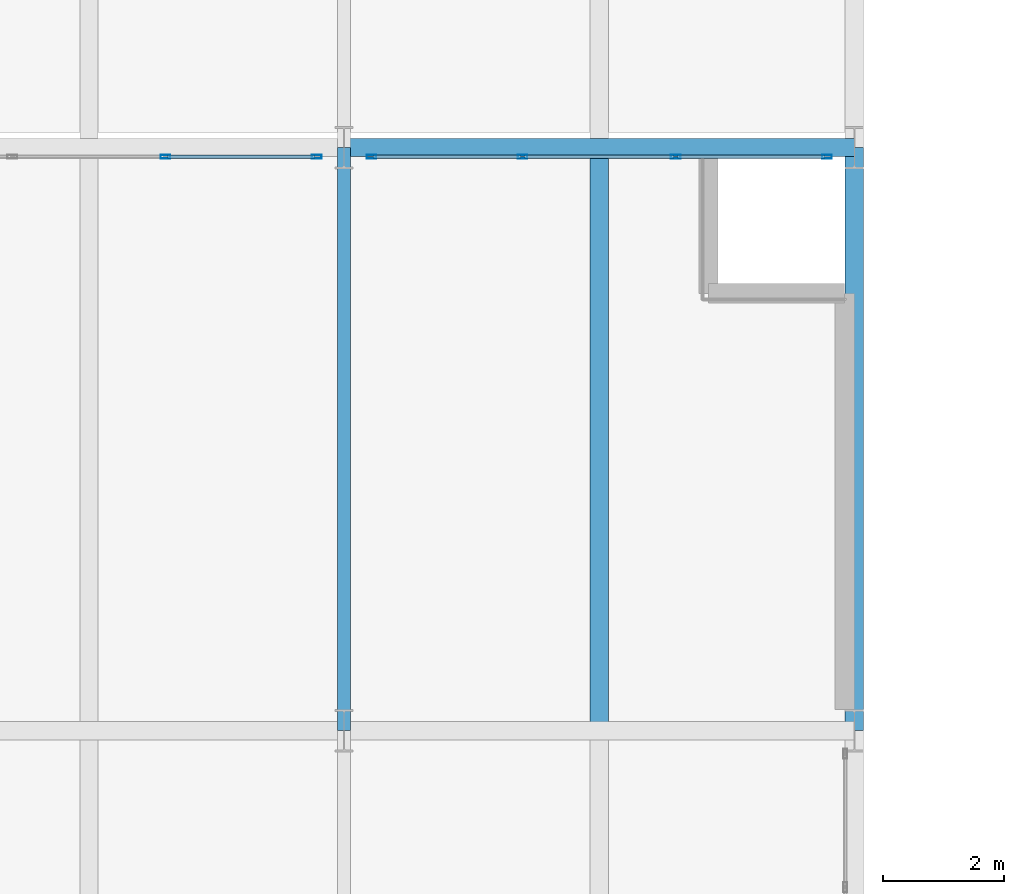
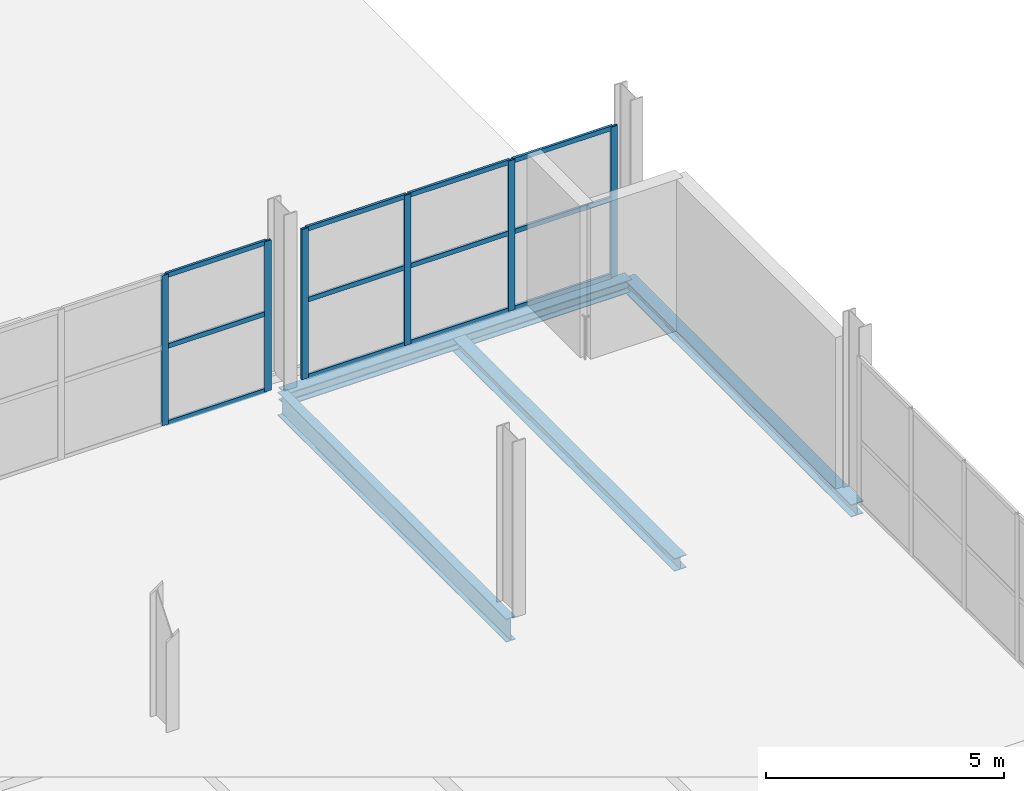
# One storey, part 61 of 113: 18 members, 4 beams, 2 elements without a shape of their own.
"""IFC4 building model written with IfcOpenShell, lengths in metres."""

from ifc_helpers import new_model, si_unit, direction, frame, origin, origin_2d, place, context, subcontext, project, spatial, hollow_rectangle, i_section, extrude, material, material_profile, profile_set, type_object, element, aggregate, save


model = new_model("IFC4")

# Units and contexts
model_context = context("Model", 3, precision=1e-05, world=origin(), true_north=direction((0.0, 1.0)))
body_context = subcontext(model_context, "Body", "Model", "MODEL_VIEW")
ifc_project = project(units=[si_unit("LENGTHUNIT", "METRE"), si_unit("AREAUNIT", "SQUARE_METRE"), si_unit("VOLUMEUNIT", "CUBIC_METRE"), si_unit("PLANEANGLEUNIT", "RADIAN"), si_unit("MASSUNIT", "GRAM", prefix="KILO")], contexts=[model_context])

# Site, building, storey
site_placement = place(None, origin())
site = spatial("IfcSite", under=ifc_project, at=site_placement, CompositionType="ELEMENT")
building_placement = place(site_placement, origin())
building = spatial("IfcBuilding", under=site, at=building_placement, Name="Veltarok Museum of Natural Sciences", CompositionType="ELEMENT")
storey_placement = place(building_placement, frame((0.0, 0.0, 8.39990234375)))
storey = spatial("IfcBuildingStorey", under=building, at=storey_placement, Name="L01", CompositionType="ELEMENT", Elevation=8.39990234375)

# Curtain wall, members
ifc_material_1 = material(Name="Low-iron triple insulated glass", Category="glass")
curtain_wall_type_1 = type_object("IfcCurtainWallType", Name="Curtain Wall System CW-V2NP-L01-8-756x385 (North Pavilion L01 8-9 756x385cm)", PredefinedType="NOTDEFINED", material=ifc_material_1)
curtain_wall_1_placement = place(storey_placement, origin())
curtain_wall_1 = element("IfcCurtainWall", 1, at=curtain_wall_1_placement, inside=storey, type_object=curtain_wall_type_1, Name="Curtain Wall CW-V2NP-L01-8-756x385 CW-0070", PredefinedType="NOTDEFINED")
ifc_material_2 = material(Name="Thermally broken anodised aluminium", Category="aluminium")
ifc_material_profile_1 = material_profile(ifc_material_2, hollow_rectangle(XDim=0.06005859375, YDim=0.1201171875, WallThickness=0.0048828125, at=origin_2d()), Name="CW TRANSOM 60x120x5")
ifc_profile_set_1 = profile_set([ifc_material_profile_1], Name="Thermally broken anodised aluminium")
member_type_1 = type_object("IfcMemberType", Name="Curtain Wall Horizontal Transom 60x120x5", PredefinedType="USERDEFINED", material=ifc_profile_set_1)
member_1_placement = place(storey_placement, frame((73.1201171875, 91.050048828125, 0.030029296875), z_axis=(-1.0, 0.0, 0.0), x_axis=(0.0, -1.0, 0.0)))
member_1 = element("IfcMember", 2, at=member_1_placement, type_object=member_type_1, Name="CW-V2NP-L01-8-756x385 transom 1.1", ObjectType="TRANSOM", PredefinedType="USERDEFINED", context=body_context, shape_type="SweptSolid", body=[
    extrude(hollow_rectangle(XDim=0.06005859375, YDim=0.1201171875, WallThickness=0.0048828125, at=origin_2d()), origin(), (0.0, 0.0, 1.0), 2.43017578125),
])
member_2_placement = place(storey_placement, frame((73.1201171875, 91.050048828125, 2.0), z_axis=(-1.0, 0.0, 0.0), x_axis=(0.0, -1.0, 0.0)))
member_2 = element("IfcMember", 3, at=member_2_placement, type_object=member_type_1, Name="CW-V2NP-L01-8-756x385 transom 1.2", ObjectType="TRANSOM", PredefinedType="USERDEFINED", context=body_context, shape_type="SweptSolid", body=[
    extrude(hollow_rectangle(XDim=0.06005859375, YDim=0.1201171875, WallThickness=0.0048828125, at=origin_2d()), origin(), (0.0, 0.0, 1.0), 2.43017578125),
])
member_3_placement = place(storey_placement, frame((73.1201171875, 91.050048828125, 3.820068359375), z_axis=(-1.0, 0.0, 0.0), x_axis=(0.0, -1.0, 0.0)))
member_3 = element("IfcMember", 4, at=member_3_placement, type_object=member_type_1, Name="CW-V2NP-L01-8-756x385 transom 1.3", ObjectType="TRANSOM", PredefinedType="USERDEFINED", context=body_context, shape_type="SweptSolid", body=[
    extrude(hollow_rectangle(XDim=0.06005859375, YDim=0.1201171875, WallThickness=0.0048828125, at=origin_2d()), origin(), (0.0, 0.0, 1.0), 2.43017578125),
])

curtain_wall_type_2 = type_object("IfcCurtainWallType", Name="Curtain Wall System CW-V2NP-L01-9-756x385 (North Pavilion L01 9-10 756x385cm)", PredefinedType="NOTDEFINED", material=ifc_material_1)
curtain_wall_2_placement = place(storey_placement, origin())
curtain_wall_2 = element("IfcCurtainWall", 5, at=curtain_wall_2_placement, inside=storey, type_object=curtain_wall_type_2, Name="Curtain Wall CW-V2NP-L01-9-756x385 CW-0071", PredefinedType="NOTDEFINED")
member_4_placement = place(storey_placement, frame((81.52001953125, 91.050048828125, 0.030029296875), z_axis=(-1.0, 0.0, 0.0), x_axis=(0.0, -1.0, 0.0)))
member_4 = element("IfcMember", 6, at=member_4_placement, type_object=member_type_1, Name="CW-V2NP-L01-9-756x385 transom 1.1", ObjectType="TRANSOM", PredefinedType="USERDEFINED", context=body_context, shape_type="SweptSolid", body=[
    extrude(hollow_rectangle(XDim=0.06005859375, YDim=0.1201171875, WallThickness=0.0048828125, at=origin_2d()), origin(), (0.0, 0.0, 1.0), 2.429931640625),
])
member_5_placement = place(storey_placement, frame((81.52001953125, 91.050048828125, 2.0), z_axis=(-1.0, 0.0, 0.0), x_axis=(0.0, -1.0, 0.0)))
member_5 = element("IfcMember", 7, at=member_5_placement, type_object=member_type_1, Name="CW-V2NP-L01-9-756x385 transom 1.2", ObjectType="TRANSOM", PredefinedType="USERDEFINED", context=body_context, shape_type="SweptSolid", body=[
    extrude(hollow_rectangle(XDim=0.06005859375, YDim=0.1201171875, WallThickness=0.0048828125, at=origin_2d()), origin(), (0.0, 0.0, 1.0), 2.429931640625),
])
member_6_placement = place(storey_placement, frame((81.52001953125, 91.050048828125, 3.820068359375), z_axis=(-1.0, 0.0, 0.0), x_axis=(0.0, -1.0, 0.0)))
member_6 = element("IfcMember", 8, at=member_6_placement, type_object=member_type_1, Name="CW-V2NP-L01-9-756x385 transom 1.3", ObjectType="TRANSOM", PredefinedType="USERDEFINED", context=body_context, shape_type="SweptSolid", body=[
    extrude(hollow_rectangle(XDim=0.06005859375, YDim=0.1201171875, WallThickness=0.0048828125, at=origin_2d()), origin(), (0.0, 0.0, 1.0), 2.429931640625),
])
member_7_placement = place(storey_placement, frame((79.030029296875, 91.050048828125, 0.030029296875), z_axis=(-1.0, 0.0, 0.0), x_axis=(0.0, -1.0, 0.0)))
member_7 = element("IfcMember", 9, at=member_7_placement, type_object=member_type_1, Name="CW-V2NP-L01-9-756x385 transom 2.1", ObjectType="TRANSOM", PredefinedType="USERDEFINED", context=body_context, shape_type="SweptSolid", body=[
    extrude(hollow_rectangle(XDim=0.06005859375, YDim=0.1201171875, WallThickness=0.0048828125, at=origin_2d()), origin(), (0.0, 0.0, 1.0), 2.4599609375),
])
member_8_placement = place(storey_placement, frame((79.030029296875, 91.050048828125, 2.0), z_axis=(-1.0, 0.0, 0.0), x_axis=(0.0, -1.0, 0.0)))
member_8 = element("IfcMember", 10, at=member_8_placement, type_object=member_type_1, Name="CW-V2NP-L01-9-756x385 transom 2.2", ObjectType="TRANSOM", PredefinedType="USERDEFINED", context=body_context, shape_type="SweptSolid", body=[
    extrude(hollow_rectangle(XDim=0.06005859375, YDim=0.1201171875, WallThickness=0.0048828125, at=origin_2d()), origin(), (0.0, 0.0, 1.0), 2.4599609375),
])
member_9_placement = place(storey_placement, frame((79.030029296875, 91.050048828125, 3.820068359375), z_axis=(-1.0, 0.0, 0.0), x_axis=(0.0, -1.0, 0.0)))
member_9 = element("IfcMember", 11, at=member_9_placement, type_object=member_type_1, Name="CW-V2NP-L01-9-756x385 transom 2.3", ObjectType="TRANSOM", PredefinedType="USERDEFINED", context=body_context, shape_type="SweptSolid", body=[
    extrude(hollow_rectangle(XDim=0.06005859375, YDim=0.1201171875, WallThickness=0.0048828125, at=origin_2d()), origin(), (0.0, 0.0, 1.0), 2.4599609375),
])
member_10_placement = place(storey_placement, frame((76.510009765625, 91.050048828125, 0.030029296875), z_axis=(-1.0, 0.0, 0.0), x_axis=(0.0, -1.0, 0.0)))
member_10 = element("IfcMember", 12, at=member_10_placement, type_object=member_type_1, Name="CW-V2NP-L01-9-756x385 transom 3.1", ObjectType="TRANSOM", PredefinedType="USERDEFINED", context=body_context, shape_type="SweptSolid", body=[
    extrude(hollow_rectangle(XDim=0.06005859375, YDim=0.1201171875, WallThickness=0.0048828125, at=origin_2d()), origin(), (0.0, 0.0, 1.0), 2.429931640625),
])
member_11_placement = place(storey_placement, frame((76.510009765625, 91.050048828125, 2.0), z_axis=(-1.0, 0.0, 0.0), x_axis=(0.0, -1.0, 0.0)))
member_11 = element("IfcMember", 13, at=member_11_placement, type_object=member_type_1, Name="CW-V2NP-L01-9-756x385 transom 3.2", ObjectType="TRANSOM", PredefinedType="USERDEFINED", context=body_context, shape_type="SweptSolid", body=[
    extrude(hollow_rectangle(XDim=0.06005859375, YDim=0.1201171875, WallThickness=0.0048828125, at=origin_2d()), origin(), (0.0, 0.0, 1.0), 2.429931640625),
])
member_12_placement = place(storey_placement, frame((76.510009765625, 91.050048828125, 3.820068359375), z_axis=(-1.0, 0.0, 0.0), x_axis=(0.0, -1.0, 0.0)))
member_12 = element("IfcMember", 14, at=member_12_placement, type_object=member_type_1, Name="CW-V2NP-L01-9-756x385 transom 3.3", ObjectType="TRANSOM", PredefinedType="USERDEFINED", context=body_context, shape_type="SweptSolid", body=[
    extrude(hollow_rectangle(XDim=0.06005859375, YDim=0.1201171875, WallThickness=0.0048828125, at=origin_2d()), origin(), (0.0, 0.0, 1.0), 2.429931640625),
])

# Member
ifc_material_profile_2 = material_profile(ifc_material_2, hollow_rectangle(XDim=0.06005859375, YDim=0.159912109375, WallThickness=0.0048828125, at=origin_2d()), Name="CW MULLION 60x160x5")
ifc_profile_set_2 = profile_set([ifc_material_profile_2], Name="Thermally broken anodised aluminium")
member_type_2 = type_object("IfcMemberType", Name="Curtain Wall Vertical Mullion 60x160x5", PredefinedType="MULLION", material=ifc_profile_set_2)
member_13_placement = place(storey_placement, frame((73.14990234375, 91.050048828125, 0.0), z_axis=(0.0, 0.0, 1.0), x_axis=(0.0, -1.0, 0.0)))
member_13 = element("IfcMember", 15, at=member_13_placement, type_object=member_type_2, Name="CW-V2NP-L01-8-756x385 mullion 1", PredefinedType="MULLION", context=body_context, shape_type="SweptSolid", body=[
    extrude(hollow_rectangle(XDim=0.06005859375, YDim=0.159912109375, WallThickness=0.0048828125, at=origin_2d()), origin(), (0.0, 0.0, 1.0), 3.85009765625),
])

member_14_placement = place(storey_placement, frame((70.659912109375, 91.050048828125, 0.0), z_axis=(0.0, 0.0, 1.0), x_axis=(0.0, -1.0, 0.0)))
member_14 = element("IfcMember", 16, at=member_14_placement, type_object=member_type_2, Name="CW-V2NP-L01-8-756x385 mullion 2", PredefinedType="MULLION", context=body_context, shape_type="SweptSolid", body=[
    extrude(hollow_rectangle(XDim=0.06005859375, YDim=0.159912109375, WallThickness=0.0048828125, at=origin_2d()), origin(), (0.0, 0.0, 1.0), 3.85009765625),
])

aggregate(curtain_wall_1, [member_13, member_14, member_1, member_2, member_3])

member_15_placement = place(storey_placement, frame((81.550048828125, 91.050048828125, 0.0), z_axis=(0.0, 0.0, 1.0), x_axis=(0.0, -1.0, 0.0)))
member_15 = element("IfcMember", 17, at=member_15_placement, type_object=member_type_2, Name="CW-V2NP-L01-9-756x385 mullion 1", PredefinedType="MULLION", context=body_context, shape_type="SweptSolid", body=[
    extrude(hollow_rectangle(XDim=0.06005859375, YDim=0.159912109375, WallThickness=0.0048828125, at=origin_2d()), origin(), (0.0, 0.0, 1.0), 3.85009765625),
])

member_16_placement = place(storey_placement, frame((79.06005859375, 91.050048828125, 0.0), z_axis=(0.0, 0.0, 1.0), x_axis=(0.0, -1.0, 0.0)))
member_16 = element("IfcMember", 18, at=member_16_placement, type_object=member_type_2, Name="CW-V2NP-L01-9-756x385 mullion 2", PredefinedType="MULLION", context=body_context, shape_type="SweptSolid", body=[
    extrude(hollow_rectangle(XDim=0.06005859375, YDim=0.159912109375, WallThickness=0.0048828125, at=origin_2d()), origin(), (0.0, 0.0, 1.0), 3.85009765625),
])

member_17_placement = place(storey_placement, frame((76.5400390625, 91.050048828125, 0.0), z_axis=(0.0, 0.0, 1.0), x_axis=(0.0, -1.0, 0.0)))
member_17 = element("IfcMember", 19, at=member_17_placement, type_object=member_type_2, Name="CW-V2NP-L01-9-756x385 mullion 3", PredefinedType="MULLION", context=body_context, shape_type="SweptSolid", body=[
    extrude(hollow_rectangle(XDim=0.06005859375, YDim=0.159912109375, WallThickness=0.0048828125, at=origin_2d()), origin(), (0.0, 0.0, 1.0), 3.85009765625),
])

member_18_placement = place(storey_placement, frame((74.050048828125, 91.050048828125, 0.0), z_axis=(0.0, 0.0, 1.0), x_axis=(0.0, -1.0, 0.0)))
member_18 = element("IfcMember", 20, at=member_18_placement, type_object=member_type_2, Name="CW-V2NP-L01-9-756x385 mullion 4", PredefinedType="MULLION", context=body_context, shape_type="SweptSolid", body=[
    extrude(hollow_rectangle(XDim=0.06005859375, YDim=0.159912109375, WallThickness=0.0048828125, at=origin_2d()), origin(), (0.0, 0.0, 1.0), 3.85009765625),
])

aggregate(curtain_wall_2, [member_15, member_16, member_17, member_18, member_4, member_5, member_6, member_7, member_8, member_9, member_10, member_11, member_12])

# Beams
ifc_material_3 = material(Name="Steel S355J2", Category="steel")
ifc_material_profile_3 = material_profile(ifc_material_3, i_section(OverallWidth=0.300048828125, OverallDepth=0.330078125, WebThickness=0.009521484375, FlangeThickness=0.0166015625, FilletRadius=0.027099609375, at=origin_2d()), Name="HEA 340")
ifc_profile_set_3 = profile_set([ifc_material_profile_3], Name="Steel S355J2")
beam_type_1 = type_object("IfcBeamType", Name="Exhibition Floor Joist HEA 340", PredefinedType="JOIST", material=ifc_profile_set_3)
beam_1_placement = place(storey_placement, frame((77.800048828125, 81.748046875, -0.414794921875), z_axis=(0.0, 1.0, 0.0), x_axis=(-1.0, 0.0, 0.0)))
element("IfcBeam", 21, at=beam_1_placement, inside=storey, type_object=beam_type_1, Name="Secondary Joist BM-J08 L01 9-10/J-K.1", PredefinedType="JOIST", context=body_context, shape_type="SweptSolid", body=[
    extrude(i_section(OverallWidth=0.300048828125, OverallDepth=0.330078125, WebThickness=0.009521484375, FlangeThickness=0.0166015625, FilletRadius=0.027099609375, at=origin_2d()), origin(), (0.0, 0.0, 1.0), 9.303955078125),
])
ifc_material_profile_4 = material_profile(ifc_material_3, i_section(OverallWidth=0.300048828125, OverallDepth=0.320068359375, WebThickness=0.011474609375, FlangeThickness=0.0205078125, FilletRadius=0.027099609375, at=origin_2d()), Name="HEB 320")
ifc_profile_set_4 = profile_set([ifc_material_profile_4], Name="Steel S355J2")
beam_type_2 = type_object("IfcBeamType", Name="Perimeter Sawtooth Spandrel HEB 320", PredefinedType="SPANDREL", material=ifc_profile_set_4)
beam_2_placement = place(storey_placement, frame((73.60009765625, 91.199951171875, -0.409912109375), z_axis=(1.0, 0.0, 0.0), x_axis=(0.0, 1.0, 0.0)))
element("IfcBeam", 22, at=beam_2_placement, inside=storey, type_object=beam_type_2, Name="Beam BM-SP06 L01 9-10/K", PredefinedType="SPANDREL", context=body_context, shape_type="SweptSolid", body=[
    extrude(i_section(OverallWidth=0.300048828125, OverallDepth=0.320068359375, WebThickness=0.011474609375, FlangeThickness=0.0205078125, FilletRadius=0.027099609375, at=origin_2d()), origin(), (0.0, 0.0, 1.0), 8.39990234375),
])
beam_3_placement = place(storey_placement, frame((82.0, 81.60009765625, -0.409912109375), z_axis=(0.0, 1.0, 0.0), x_axis=(-1.0, 0.0, 0.0)))
element("IfcBeam", 23, at=beam_3_placement, inside=storey, type_object=beam_type_2, Name="Beam BM-SP06 L01 10/J-K", PredefinedType="SPANDREL", context=body_context, shape_type="SweptSolid", body=[
    extrude(i_section(OverallWidth=0.300048828125, OverallDepth=0.320068359375, WebThickness=0.011474609375, FlangeThickness=0.0205078125, FilletRadius=0.027099609375, at=origin_2d()), origin(), (0.0, 0.0, 1.0), 9.599853515625),
])
ifc_material_profile_5 = material_profile(ifc_material_3, i_section(OverallWidth=0.219970703125, OverallDepth=0.60009765625, WebThickness=0.011962890625, FlangeThickness=0.01904296875, FilletRadius=0.02392578125, at=origin_2d()), Name="IPE 600")
ifc_profile_set_5 = profile_set([ifc_material_profile_5], Name="Steel S355J2")
beam_type_3 = type_object("IfcBeamType", Name="Primary Museum Girder IPE 600", PredefinedType="BEAM", material=ifc_profile_set_5)
beam_4_placement = place(storey_placement, frame((73.60009765625, 81.60009765625, -0.5498046875), z_axis=(0.0, 1.0, 0.0), x_axis=(-1.0, 0.0, 0.0)))
element("IfcBeam", 24, at=beam_4_placement, inside=storey, type_object=beam_type_3, Name="Beam BM-G02 L01 9/J-K", PredefinedType="BEAM", context=body_context, shape_type="SweptSolid", body=[
    extrude(i_section(OverallWidth=0.219970703125, OverallDepth=0.60009765625, WebThickness=0.011962890625, FlangeThickness=0.01904296875, FilletRadius=0.02392578125, at=origin_2d()), origin(), (0.0, 0.0, 1.0), 9.599853515625),
])

save(model, "model.ifc")
